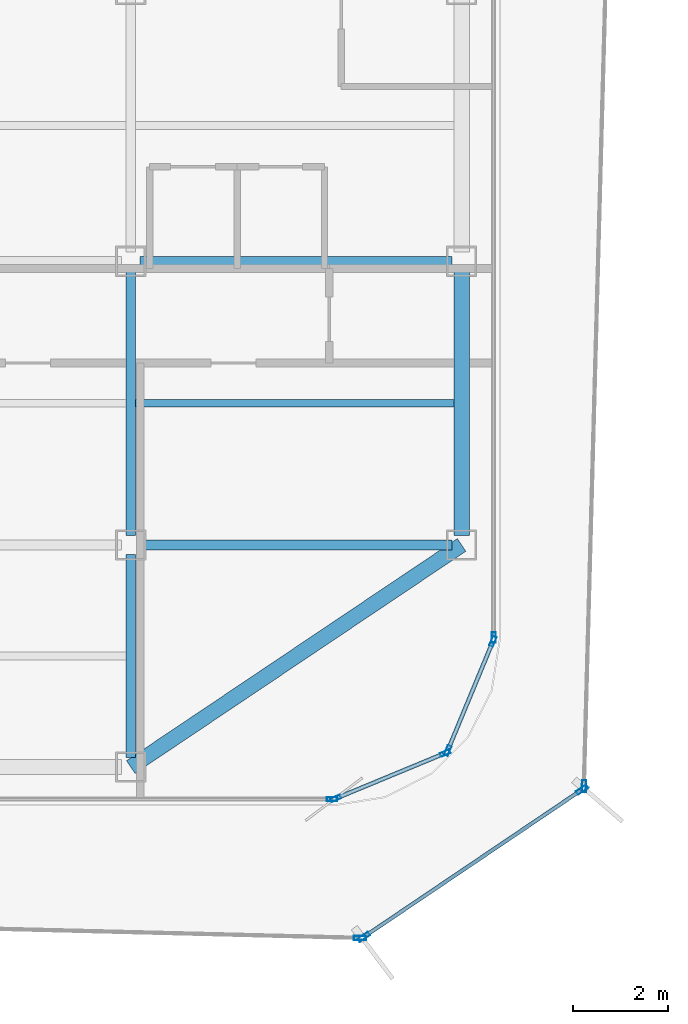
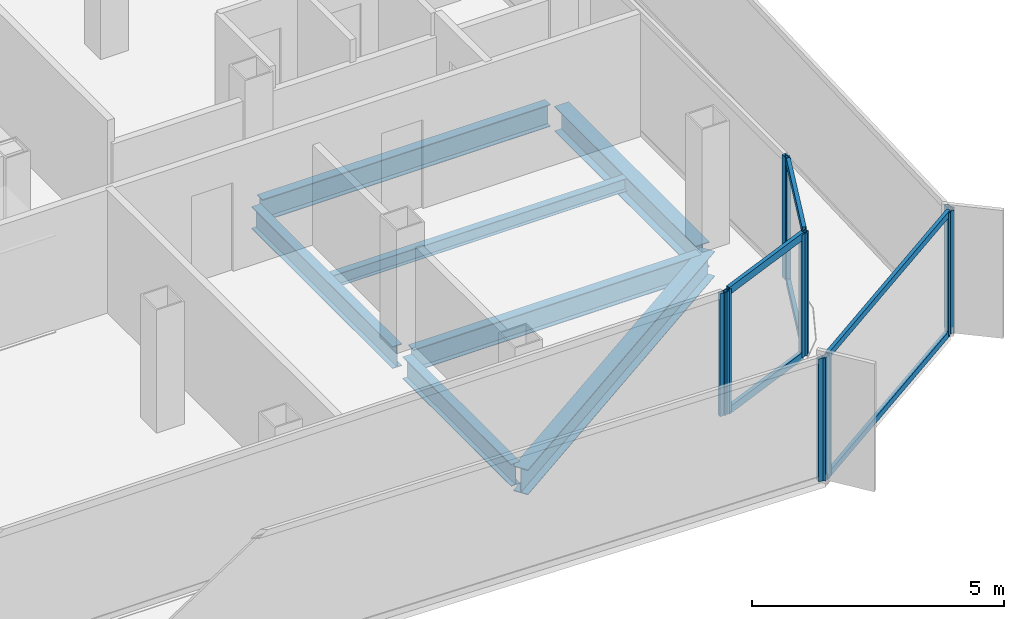
# One storey, part 4 of 15: 16 members, 7 beams, 7 elements without a shape of their own.
"""IFC4 building model written with IfcOpenShell, lengths in metres."""

from ifc_helpers import new_model, si_unit, direction, frame, origin, origin_2d, place, context, subcontext, project, spatial, hollow_rectangle, i_section, extrude, source, transform, mapped, material, layer, layer_set, material_profile, profile_set, type_object, element, aggregate, save


model = new_model("IFC4")

# Units and contexts
model_context = context("Model", 3, precision=1e-05, world=origin(), true_north=direction((0.0, 1.0)))
body_context = subcontext(model_context, "Body", "Model", "MODEL_VIEW")
ifc_project = project(units=[si_unit("LENGTHUNIT", "METRE"), si_unit("AREAUNIT", "SQUARE_METRE"), si_unit("VOLUMEUNIT", "CUBIC_METRE"), si_unit("PLANEANGLEUNIT", "RADIAN"), si_unit("MASSUNIT", "GRAM", prefix="KILO")], contexts=[model_context])

# Site, building, storey
site_placement = place(None, origin())
site = spatial("IfcSite", under=ifc_project, at=site_placement, CompositionType="ELEMENT")
building_placement = place(site_placement, origin())
building = spatial("IfcBuilding", under=site, at=building_placement, Name="Kolveth Station Tower", CompositionType="ELEMENT")
storey_placement = place(building_placement, frame((0.0, 0.0, 268.10009765625)))
storey = spatial("IfcBuildingStorey", under=building, at=storey_placement, Name="L77", CompositionType="ELEMENT", Elevation=268.10009765625)

# Beams
ifc_material_1 = material(Name="Steel S355", Category="steel")
ifc_material_profile_1 = material_profile(ifc_material_1, i_section(OverallWidth=0.323974609375, OverallDepth=0.611083984375, WebThickness=0.0126953125, FlangeThickness=0.01904296875, at=origin_2d()), Name="W610x155")
ifc_profile_set_1 = profile_set([ifc_material_profile_1], Name="Steel S355")
beam_type_1 = type_object("IfcBeamType", Name="Beam_SP2", PredefinedType="SPANDREL", material=ifc_profile_set_1)
shared_shape_1 = source(origin(), body_context, "Body", "SweptSolid", [
    extrude(i_section(OverallWidth=0.323974609375, OverallDepth=0.611083984375, WebThickness=0.0126953125, FlangeThickness=0.01904296875, at=origin_2d()), origin(), (0.0, 0.0, 1.0), 8.431396484375),
])
beam_1_placement = place(storey_placement, frame((34.0, 0.800048828125, -0.525634765625), z_axis=(0.830223811004, 0.557430196206, 0.0), x_axis=(-0.557430196206, 0.830223811004, 0.0)))
element("IfcBeam", 1, at=beam_1_placement, inside=storey, type_object=beam_type_1, Name="L77 Corner Edge Girder BM-L77-CNR-SE", PredefinedType="SPANDREL", context=body_context, shape_type="MappedRepresentation", body=[
    mapped(shared_shape_1, transform((0.0, 0.0, 0.0), x_axis=(1.0, 0.0, 0.0), y_axis=(0.0, 1.0, 0.0), z_axis=(0.0, 0.0, 1.0), scale=1.0)),
])
shared_shape_2 = source(origin(), body_context, "Body", "SweptSolid", [
    extrude(i_section(OverallWidth=0.323974609375, OverallDepth=0.611083984375, WebThickness=0.0126953125, FlangeThickness=0.01904296875, at=origin_2d()), origin(), (0.0, 0.0, 1.0), 5.60009765625),
])
beam_2_placement = place(storey_placement, frame((41.0, 5.699951171875, -0.525634765625), z_axis=(0.0, 1.0, 0.0), x_axis=(-1.0, 0.0, 0.0)))
element("IfcBeam", 2, at=beam_2_placement, inside=storey, type_object=beam_type_1, Name="L77 Perimeter Spandrel BM-L77-PE-1", PredefinedType="SPANDREL", context=body_context, shape_type="MappedRepresentation", body=[
    mapped(shared_shape_2, transform((0.0, 0.0, 0.0), x_axis=(1.0, 0.0, 0.0), y_axis=(0.0, 1.0, 0.0), z_axis=(0.0, 0.0, 1.0), scale=1.0)),
])
ifc_material_profile_2 = material_profile(ifc_material_1, i_section(OverallWidth=0.2099609375, OverallDepth=0.537109375, WebThickness=0.010986328125, FlangeThickness=0.017333984375, at=origin_2d()), Name="W530x101")
ifc_profile_set_2 = profile_set([ifc_material_profile_2], Name="Steel S355")
beam_type_2 = type_object("IfcBeamType", Name="Beam_B6", PredefinedType="BEAM", material=ifc_profile_set_2)
shared_shape_3 = source(origin(), body_context, "Body", "SweptSolid", [
    extrude(i_section(OverallWidth=0.2099609375, OverallDepth=0.537109375, WebThickness=0.010986328125, FlangeThickness=0.017333984375, at=origin_2d()), origin(), (0.0, 0.0, 1.0), 6.60009765625),
])
for number, where, z_axis, x_axis, name in (
    (3, (34.199951171875, 5.5, -0.488525390625), (1.0, 0.0, 0.0), (0.0, 1.0, 0.0), "L77 Primary Girder BM-L77-GY55-5"),
    (4, (34.199951171875, 11.5, -0.488525390625), (1.0, 0.0, 0.0), (0.0, 1.0, 0.0), "L77 Primary Girder BM-L77-GY115-5"),
):
    element("IfcBeam", number, at=place(storey_placement, frame(where, z_axis=z_axis, x_axis=x_axis)), inside=storey, type_object=beam_type_2, Name=name, PredefinedType="BEAM", context=body_context, shape_type="MappedRepresentation", body=[
        mapped(shared_shape_3, transform((0.0, 0.0, 0.0), x_axis=(1.0, 0.0, 0.0), y_axis=(0.0, 1.0, 0.0), z_axis=(0.0, 0.0, 1.0), scale=1.0)),
    ])
shared_shape_4 = source(origin(), body_context, "Body", "SweptSolid", [
    extrude(i_section(OverallWidth=0.2099609375, OverallDepth=0.537109375, WebThickness=0.010986328125, FlangeThickness=0.017333984375, at=origin_2d()), origin(), (0.0, 0.0, 1.0), 4.300048828125),
])
beam_3_placement = place(storey_placement, frame((34.0, 1.0, -0.488525390625), z_axis=(0.0, 1.0, 0.0), x_axis=(-1.0, 0.0, 0.0)))
element("IfcBeam", 5, at=beam_3_placement, inside=storey, type_object=beam_type_2, Name="L77 Primary Girder BM-L77-GX340-1", PredefinedType="BEAM", context=body_context, shape_type="MappedRepresentation", body=[
    mapped(shared_shape_4, transform((0.0, 0.0, 0.0), x_axis=(1.0, 0.0, 0.0), y_axis=(0.0, 1.0, 0.0), z_axis=(0.0, 0.0, 1.0), scale=1.0)),
])
shared_shape_5 = source(origin(), body_context, "Body", "SweptSolid", [
    extrude(i_section(OverallWidth=0.2099609375, OverallDepth=0.537109375, WebThickness=0.010986328125, FlangeThickness=0.017333984375, at=origin_2d()), origin(), (0.0, 0.0, 1.0), 5.60009765625),
])
beam_4_placement = place(storey_placement, frame((34.0, 5.699951171875, -0.488525390625), z_axis=(0.0, 1.0, 0.0), x_axis=(-1.0, 0.0, 0.0)))
element("IfcBeam", 6, at=beam_4_placement, inside=storey, type_object=beam_type_2, Name="L77 Primary Girder BM-L77-GX340-2", PredefinedType="BEAM", context=body_context, shape_type="MappedRepresentation", body=[
    mapped(shared_shape_5, transform((0.0, 0.0, 0.0), x_axis=(1.0, 0.0, 0.0), y_axis=(0.0, 1.0, 0.0), z_axis=(0.0, 0.0, 1.0), scale=1.0)),
])
ifc_material_profile_3 = material_profile(ifc_material_1, i_section(OverallWidth=0.1650390625, OverallDepth=0.31005859375, WebThickness=0.005859375, FlangeThickness=0.009765625, at=origin_2d()), Name="W310x39")
ifc_profile_set_3 = profile_set([ifc_material_profile_3], Name="Steel S355")
beam_type_3 = type_object("IfcBeamType", Name="Beam_J3", PredefinedType="JOIST", material=ifc_profile_set_3)
shared_shape_6 = source(origin(), body_context, "Body", "SweptSolid", [
    extrude(i_section(OverallWidth=0.1650390625, OverallDepth=0.31005859375, WebThickness=0.005859375, FlangeThickness=0.009765625, at=origin_2d()), origin(), (0.0, 0.0, 1.0), 6.737060546875),
])
beam_5_placement = place(storey_placement, frame((34.10302734375, 8.5, -0.375), z_axis=(1.0, 0.0, 0.0), x_axis=(0.0, 1.0, 0.0)))
element("IfcBeam", 7, at=beam_5_placement, inside=storey, type_object=beam_type_3, Name="L77 Secondary Joist JST-L77-5-2", PredefinedType="JOIST", context=body_context, shape_type="MappedRepresentation", body=[
    mapped(shared_shape_6, transform((0.0, 0.0, 0.0), x_axis=(1.0, 0.0, 0.0), y_axis=(0.0, 1.0, 0.0), z_axis=(0.0, 0.0, 1.0), scale=1.0)),
])

# Curtain wall, members
ifc_material_2 = material(Name="Aluminium 6063-T6 and triple low-E dark glass", Category="aluminium")
ifc_layer_1 = layer(ifc_material_2, 0.199951171875)
ifc_layer_set_1 = layer_set([ifc_layer_1], Name="Aluminium 6063-T6 and triple low-E dark glass")
curtain_wall_type_1 = type_object("IfcCurtainWallType", Name="CurtainWall_CW-Z3", PredefinedType="NOTDEFINED", material=ifc_layer_set_1)
curtain_wall_1_placement = place(storey_placement, origin())
curtain_wall_1 = element("IfcCurtainWall", 8, at=curtain_wall_1_placement, inside=storey, type_object=curtain_wall_type_1, Name="L77 Inner Thermal Curtain Wall 1", PredefinedType="NOTDEFINED")
ifc_material_3 = material(Name="Black anodized aluminium 6063-T6", Category="aluminium")
ifc_material_profile_4 = material_profile(ifc_material_3, hollow_rectangle(XDim=0.0849609375, YDim=0.215087890625, WallThickness=0.0048828125, at=origin_2d()), Name="ALU-85x215x5")
ifc_profile_set_4 = profile_set([ifc_material_profile_4], Name="Black anodized aluminium 6063-T6")
member_type_1 = type_object("IfcMemberType", Name="Mullion_ML3", PredefinedType="MULLION", material=ifc_profile_set_4)
shared_shape_7 = source(origin(), body_context, "Body", "SweptSolid", [
    extrude(hollow_rectangle(XDim=0.0849609375, YDim=0.215087890625, WallThickness=0.0048828125, at=origin_2d()), origin(), (0.0, 0.0, 1.0), 2.97998046875),
])
member_1_placement = place(storey_placement, frame((38.33935546875, 0.13623046875, 0.0), z_axis=(0.0, 0.0, 1.0), x_axis=(-0.382693194181, 0.923875488975, 0.0)))
member_1 = element("IfcMember", 9, at=member_1_placement, type_object=member_type_1, Name="CW-Z3 mullion 1", PredefinedType="MULLION", context=body_context, shape_type="MappedRepresentation", body=[
    mapped(shared_shape_7, transform((0.0, 0.0, 0.0), x_axis=(1.0, 0.0, 0.0), y_axis=(0.0, 1.0, 0.0), z_axis=(0.0, 0.0, 1.0), scale=1.0)),
])
member_2_placement = place(storey_placement, frame((40.650634765625, 1.09375, 0.0), z_axis=(0.0, 0.0, 1.0), x_axis=(-0.382693194181, 0.923875488975, 0.0)))
member_2 = element("IfcMember", 10, at=member_2_placement, type_object=member_type_1, Name="CW-Z3 mullion 2", PredefinedType="MULLION", context=body_context, shape_type="MappedRepresentation", body=[
    mapped(shared_shape_7, transform((0.0, 0.0, 0.0), x_axis=(1.0, 0.0, 0.0), y_axis=(0.0, 1.0, 0.0), z_axis=(0.0, 0.0, 1.0), scale=1.0)),
])

curtain_wall_2_placement = place(storey_placement, origin())
curtain_wall_2 = element("IfcCurtainWall", 11, at=curtain_wall_2_placement, inside=storey, type_object=curtain_wall_type_1, Name="L77 Inner Thermal Curtain Wall 2", PredefinedType="NOTDEFINED")
member_3_placement = place(storey_placement, frame((40.706298828125, 1.149169921875, 0.0), z_axis=(0.0, 0.0, 1.0), x_axis=(-0.923875488975, 0.382693194181, 0.0)))
member_3 = element("IfcMember", 12, at=member_3_placement, type_object=member_type_1, Name="CW-Z3 mullion 1", PredefinedType="MULLION", context=body_context, shape_type="MappedRepresentation", body=[
    mapped(shared_shape_7, transform((0.0, 0.0, 0.0), x_axis=(1.0, 0.0, 0.0), y_axis=(0.0, 1.0, 0.0), z_axis=(0.0, 0.0, 1.0), scale=1.0)),
])
member_4_placement = place(storey_placement, frame((41.663818359375, 3.460693359375, 0.0), z_axis=(0.0, 0.0, 1.0), x_axis=(-0.923875488975, 0.382693194181, 0.0)))
member_4 = element("IfcMember", 13, at=member_4_placement, type_object=member_type_1, Name="CW-Z3 mullion 2", PredefinedType="MULLION", context=body_context, shape_type="MappedRepresentation", body=[
    mapped(shared_shape_7, transform((0.0, 0.0, 0.0), x_axis=(1.0, 0.0, 0.0), y_axis=(0.0, 1.0, 0.0), z_axis=(0.0, 0.0, 1.0), scale=1.0)),
])

# Curtain wall, member
curtain_wall_3_placement = place(storey_placement, origin())
curtain_wall_3 = element("IfcCurtainWall", 14, at=curtain_wall_3_placement, inside=storey, type_object=curtain_wall_type_1, Name="L77 Inner Thermal Curtain Wall 3", PredefinedType="NOTDEFINED")
member_5_placement = place(storey_placement, frame((41.679931640625, 3.54248046875, 0.0), z_axis=(0.0, 0.0, 1.0), x_axis=(-1.0, 0.0, 0.0)))
member_5 = element("IfcMember", 15, at=member_5_placement, type_object=member_type_1, Name="CW-Z3 mullion 1", PredefinedType="MULLION", context=body_context, shape_type="MappedRepresentation", body=[
    mapped(shared_shape_7, transform((0.0, 0.0, 0.0), x_axis=(1.0, 0.0, 0.0), y_axis=(0.0, 1.0, 0.0), z_axis=(0.0, 0.0, 1.0), scale=1.0)),
])
aggregate(curtain_wall_3, [member_5])

curtain_wall_4_placement = place(storey_placement, origin())
curtain_wall_4 = element("IfcCurtainWall", 16, at=curtain_wall_4_placement, inside=storey, type_object=curtain_wall_type_1, Name="L77 Inner Thermal Curtain Wall 12", PredefinedType="NOTDEFINED")
member_6_placement = place(storey_placement, frame((38.257568359375, 0.1201171875, 0.0), z_axis=(0.0, 0.0, 1.0), x_axis=(0.0, 1.0, 0.0)))
member_6 = element("IfcMember", 17, at=member_6_placement, type_object=member_type_1, Name="CW-Z3 mullion 2", PredefinedType="MULLION", context=body_context, shape_type="MappedRepresentation", body=[
    mapped(shared_shape_7, transform((0.0, 0.0, 0.0), x_axis=(1.0, 0.0, 0.0), y_axis=(0.0, 1.0, 0.0), z_axis=(0.0, 0.0, 1.0), scale=1.0)),
])
aggregate(curtain_wall_4, [member_6])

# Member
ifc_material_profile_5 = material_profile(ifc_material_3, hollow_rectangle(XDim=0.0849609375, YDim=0.179931640625, WallThickness=0.0048828125, at=origin_2d()), Name="ALU-85x180x5")
ifc_profile_set_5 = profile_set([ifc_material_profile_5], Name="Black anodized aluminium 6063-T6")
member_type_2 = type_object("IfcMemberType", Name="Transom_TR3", PredefinedType="USERDEFINED", material=ifc_profile_set_5)
shared_shape_8 = source(origin(), body_context, "Body", "SweptSolid", [
    extrude(hollow_rectangle(XDim=0.0849609375, YDim=0.179931640625, WallThickness=0.0048828125, at=origin_2d()), origin(), (0.0, 0.0, 1.0), 2.4169921875),
])
member_7_placement = place(storey_placement, frame((38.37841796875, 0.152587890625, 0.04248046875), z_axis=(0.923908507952, 0.382613471971, 0.0), x_axis=(-0.382613471971, 0.923908507952, 0.0)))
member_7 = element("IfcMember", 18, at=member_7_placement, type_object=member_type_2, Name="CW-Z3 transom 1.1", ObjectType="TRANSOM", PredefinedType="USERDEFINED", context=body_context, shape_type="MappedRepresentation", body=[
    mapped(shared_shape_8, transform((0.0, 0.0, 0.0), x_axis=(1.0, 0.0, 0.0), y_axis=(0.0, 1.0, 0.0), z_axis=(0.0, 0.0, 1.0), scale=1.0)),
])

member_8_placement = place(storey_placement, frame((38.37841796875, 0.152587890625, 2.9375), z_axis=(0.923908507952, 0.382613471971, 0.0), x_axis=(-0.382613471971, 0.923908507952, 0.0)))
member_8 = element("IfcMember", 19, at=member_8_placement, type_object=member_type_2, Name="CW-Z3 transom 1.2", ObjectType="TRANSOM", PredefinedType="USERDEFINED", context=body_context, shape_type="MappedRepresentation", body=[
    mapped(shared_shape_8, transform((0.0, 0.0, 0.0), x_axis=(1.0, 0.0, 0.0), y_axis=(0.0, 1.0, 0.0), z_axis=(0.0, 0.0, 1.0), scale=1.0)),
])

aggregate(curtain_wall_1, [member_1, member_2, member_7, member_8])

member_9_placement = place(storey_placement, frame((40.722412109375, 1.1884765625, 0.04248046875), z_axis=(0.382735401206, 0.9238580046, 0.0), x_axis=(-0.9238580046, 0.382735401206, 0.0)))
member_9 = element("IfcMember", 20, at=member_9_placement, type_object=member_type_2, Name="CW-Z3 transom 1.1", ObjectType="TRANSOM", PredefinedType="USERDEFINED", context=body_context, shape_type="MappedRepresentation", body=[
    mapped(shared_shape_8, transform((0.0, 0.0, 0.0), x_axis=(1.0, 0.0, 0.0), y_axis=(0.0, 1.0, 0.0), z_axis=(0.0, 0.0, 1.0), scale=1.0)),
])

member_10_placement = place(storey_placement, frame((40.722412109375, 1.1884765625, 2.9375), z_axis=(0.382735401206, 0.9238580046, 0.0), x_axis=(-0.9238580046, 0.382735401206, 0.0)))
member_10 = element("IfcMember", 21, at=member_10_placement, type_object=member_type_2, Name="CW-Z3 transom 1.2", ObjectType="TRANSOM", PredefinedType="USERDEFINED", context=body_context, shape_type="MappedRepresentation", body=[
    mapped(shared_shape_8, transform((0.0, 0.0, 0.0), x_axis=(1.0, 0.0, 0.0), y_axis=(0.0, 1.0, 0.0), z_axis=(0.0, 0.0, 1.0), scale=1.0)),
])

aggregate(curtain_wall_2, [member_3, member_4, member_9, member_10])

# Curtain wall, members
ifc_material_4 = material(Name="Black anodized aluminium 6063-T6 and dark solar glass", Category="aluminium")
ifc_layer_2 = layer(ifc_material_4, 0.159912109375)
ifc_layer_set_2 = layer_set([ifc_layer_2], Name="Black anodized aluminium 6063-T6 and dark solar glass")
curtain_wall_type_2 = type_object("IfcCurtainWallType", Name="OUTER SKIN CW-OS", PredefinedType="NOTDEFINED", material=ifc_layer_set_2)
curtain_wall_5_placement = place(storey_placement, origin())
curtain_wall_5 = element("IfcCurtainWall", 22, at=curtain_wall_5_placement, inside=storey, type_object=curtain_wall_type_2, Name="L77 Outer Ventilated Skin Curtain Wall 1", PredefinedType="NOTDEFINED")
ifc_material_profile_6 = material_profile(ifc_material_3, hollow_rectangle(XDim=0.090087890625, YDim=0.260009765625, WallThickness=0.0048828125, at=origin_2d()), Name="ALU-90x260x5")
ifc_profile_set_6 = profile_set([ifc_material_profile_6], Name="Black anodized aluminium 6063-T6")
member_type_3 = type_object("IfcMemberType", Name="FIN MULLION ML-OS", PredefinedType="MULLION", material=ifc_profile_set_6)
shared_shape_9 = source(origin(), body_context, "Body", "SweptSolid", [
    extrude(hollow_rectangle(XDim=0.090087890625, YDim=0.260009765625, WallThickness=0.0048828125, at=origin_2d()), origin(), (0.0, 0.0, 1.0), 2.97998046875),
])
member_11_placement = place(storey_placement, frame((38.931640625, -2.7939453125, 0.0), z_axis=(0.0, 0.0, 1.0), x_axis=(-0.55936854513, 0.828919073685, 0.0)))
member_11 = element("IfcMember", 23, at=member_11_placement, type_object=member_type_3, Name="CW-OS mullion 1", PredefinedType="MULLION", context=body_context, shape_type="MappedRepresentation", body=[
    mapped(shared_shape_9, transform((0.0, 0.0, 0.0), x_axis=(1.0, 0.0, 0.0), y_axis=(0.0, 1.0, 0.0), z_axis=(0.0, 0.0, 1.0), scale=1.0)),
])
member_12_placement = place(storey_placement, frame((43.55224609375, 0.32421875, 0.0), z_axis=(0.0, 0.0, 1.0), x_axis=(-0.55936854513, 0.828919073685, 0.0)))
member_12 = element("IfcMember", 24, at=member_12_placement, type_object=member_type_3, Name="CW-OS mullion 2", PredefinedType="MULLION", context=body_context, shape_type="MappedRepresentation", body=[
    mapped(shared_shape_9, transform((0.0, 0.0, 0.0), x_axis=(1.0, 0.0, 0.0), y_axis=(0.0, 1.0, 0.0), z_axis=(0.0, 0.0, 1.0), scale=1.0)),
])

# Curtain wall, member
curtain_wall_6_placement = place(storey_placement, origin())
curtain_wall_6 = element("IfcCurtainWall", 25, at=curtain_wall_6_placement, inside=storey, type_object=curtain_wall_type_2, Name="L77 Outer Ventilated Skin Curtain Wall 2", PredefinedType="NOTDEFINED")
member_13_placement = place(storey_placement, frame((43.5908203125, 0.394287109375, 0.0), z_axis=(0.0, 0.0, 1.0), x_axis=(-0.999633066342, 0.02708750036, 0.0)))
member_13 = element("IfcMember", 26, at=member_13_placement, type_object=member_type_3, Name="CW-OS mullion 1", PredefinedType="MULLION", context=body_context, shape_type="MappedRepresentation", body=[
    mapped(shared_shape_9, transform((0.0, 0.0, 0.0), x_axis=(1.0, 0.0, 0.0), y_axis=(0.0, 1.0, 0.0), z_axis=(0.0, 0.0, 1.0), scale=1.0)),
])
aggregate(curtain_wall_6, [member_13])

curtain_wall_7_placement = place(storey_placement, origin())
curtain_wall_7 = element("IfcCurtainWall", 27, at=curtain_wall_7_placement, inside=storey, type_object=curtain_wall_type_2, Name="L77 Outer Ventilated Skin Curtain Wall 8", PredefinedType="NOTDEFINED")
member_14_placement = place(storey_placement, frame((38.849365234375, -2.81787109375, 0.0), z_axis=(0.0, 0.0, 1.0), x_axis=(0.024970179426, 0.999688196459, 0.0)))
member_14 = element("IfcMember", 28, at=member_14_placement, type_object=member_type_3, Name="CW-OS mullion 2", PredefinedType="MULLION", context=body_context, shape_type="MappedRepresentation", body=[
    mapped(shared_shape_9, transform((0.0, 0.0, 0.0), x_axis=(1.0, 0.0, 0.0), y_axis=(0.0, 1.0, 0.0), z_axis=(0.0, 0.0, 1.0), scale=1.0)),
])
aggregate(curtain_wall_7, [member_14])

# Member
ifc_material_profile_7 = material_profile(ifc_material_3, hollow_rectangle(XDim=0.080078125, YDim=0.14990234375, WallThickness=0.0048828125, at=origin_2d()), Name="ALU-80x150x5")
ifc_profile_set_7 = profile_set([ifc_material_profile_7], Name="Black anodized aluminium 6063-T6")
member_type_4 = type_object("IfcMemberType", Name="Transom_TR-OS", PredefinedType="USERDEFINED", material=ifc_profile_set_7)
shared_shape_10 = source(origin(), body_context, "Body", "SweptSolid", [
    extrude(hollow_rectangle(XDim=0.080078125, YDim=0.14990234375, WallThickness=0.0048828125, at=origin_2d()), origin(), (0.0, 0.0, 1.0), 5.484130859375),
])
member_15_placement = place(storey_placement, frame((38.968994140625, -2.7685546875, 0.039794921875), z_axis=(0.828920920139, 0.559365808891, 0.0), x_axis=(-0.559365808891, 0.828920920139, 0.0)))
member_15 = element("IfcMember", 29, at=member_15_placement, type_object=member_type_4, Name="CW-OS transom 1.1", ObjectType="TRANSOM", PredefinedType="USERDEFINED", context=body_context, shape_type="MappedRepresentation", body=[
    mapped(shared_shape_10, transform((0.0, 0.0, 0.0), x_axis=(1.0, 0.0, 0.0), y_axis=(0.0, 1.0, 0.0), z_axis=(0.0, 0.0, 1.0), scale=1.0)),
])

member_16_placement = place(storey_placement, frame((38.968994140625, -2.7685546875, 2.93994140625), z_axis=(0.828920920139, 0.559365808891, 0.0), x_axis=(-0.559365808891, 0.828920920139, 0.0)))
member_16 = element("IfcMember", 30, at=member_16_placement, type_object=member_type_4, Name="CW-OS transom 1.2", ObjectType="TRANSOM", PredefinedType="USERDEFINED", context=body_context, shape_type="MappedRepresentation", body=[
    mapped(shared_shape_10, transform((0.0, 0.0, 0.0), x_axis=(1.0, 0.0, 0.0), y_axis=(0.0, 1.0, 0.0), z_axis=(0.0, 0.0, 1.0), scale=1.0)),
])

aggregate(curtain_wall_5, [member_11, member_12, member_15, member_16])

save(model, "model.ifc")
